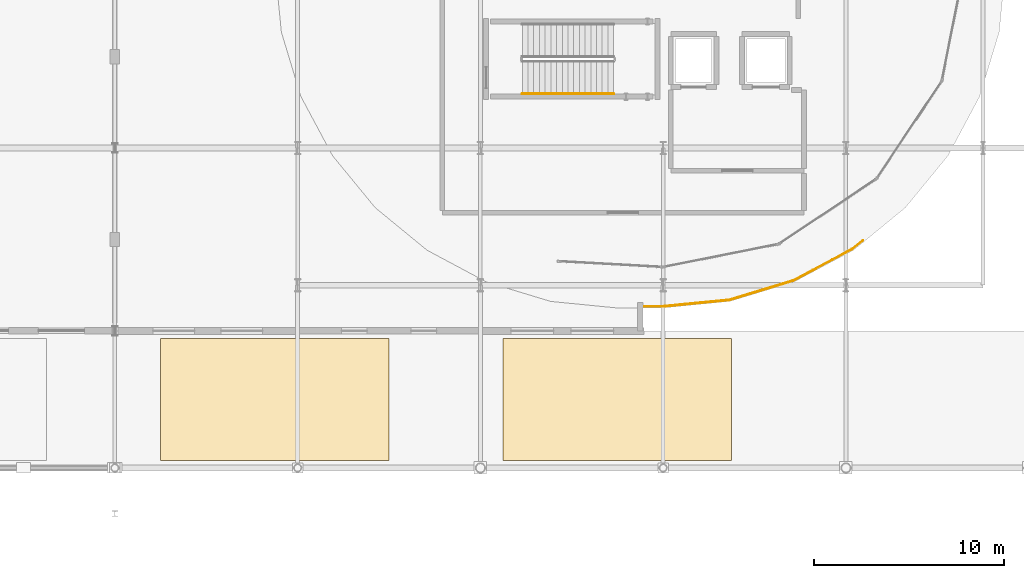
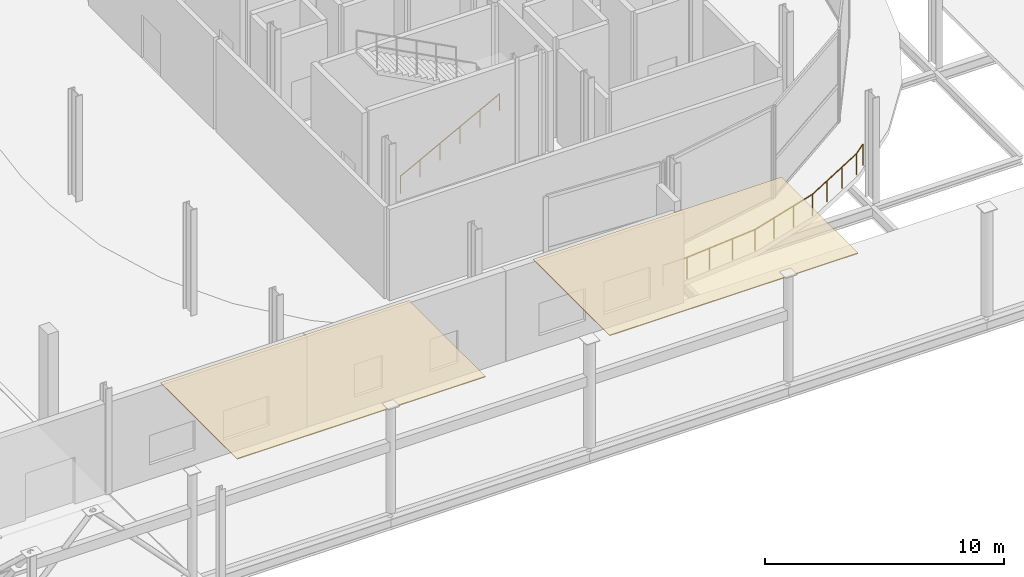
# One storey, part 79 of 84: 2 coverings, 2 railings.
"""IFC4 building model written with IfcOpenShell, lengths in metres."""

from ifc_helpers import new_model, si_unit, direction, frame, origin, origin_2d, place, context, subcontext, project, spatial, polyline, circle, outline, extrude, material, layer, layer_set, type_object, element, save


model = new_model("IFC4")

# Units and contexts
model_context = context("Model", 3, precision=1e-05, world=origin(), true_north=direction((0.0, 1.0)))
body_context = subcontext(model_context, "Body", "Model", "MODEL_VIEW")
ifc_project = project(units=[si_unit("LENGTHUNIT", "METRE"), si_unit("AREAUNIT", "SQUARE_METRE"), si_unit("VOLUMEUNIT", "CUBIC_METRE"), si_unit("PLANEANGLEUNIT", "RADIAN"), si_unit("MASSUNIT", "GRAM", prefix="KILO")], contexts=[model_context])

# Site, building, storey
site_placement = place(None, origin())
site = spatial("IfcSite", under=ifc_project, at=site_placement, CompositionType="ELEMENT")
building_placement = place(site_placement, origin())
building = spatial("IfcBuilding", under=site, at=building_placement, Name="Zevrakil Square Congress Hotel", CompositionType="ELEMENT")
storey_placement = place(building_placement, origin())
storey = spatial("IfcBuildingStorey", under=building, at=storey_placement, Name="L01", CompositionType="ELEMENT", Elevation=0.0)

# Coverings
ifc_material_1 = material(Name="White Ribbed Highland GRC Cladding")
ifc_layer = layer(ifc_material_1, 0.044921875)
ifc_layer_set = layer_set([ifc_layer], Name="White Ribbed Highland GRC Cladding")
covering_type = type_object("IfcCoveringType", Name="COV-CLAD-GRC-045", PredefinedType="CLADDING", material=ifc_layer_set)
covering_1_placement = place(storey_placement, frame((0.0, 0.0, 4.89990234375)))
element("IfcCovering", 1, at=covering_1_placement, inside=storey, type_object=covering_type, Name="L01 civic colonnade ribbed GRC soffit cladding 7", PredefinedType="CLADDING", context=body_context, shape_type="SweptSolid", body=[
    extrude(outline(polyline([(120.0, 0.39990234375), (132.0, 0.39990234375), (132.0, 6.800048828125), (120.0, 6.800048828125), (120.0, 0.39990234375)])), origin(), (0.0, 0.0, 1.0), 0.045166015625),
])
covering_2_placement = place(storey_placement, frame((0.0, 0.0, 4.89990234375)))
element("IfcCovering", 2, at=covering_2_placement, inside=storey, type_object=covering_type, Name="L01 civic colonnade ribbed GRC soffit cladding 8", PredefinedType="CLADDING", context=body_context, shape_type="SweptSolid", body=[
    extrude(outline(polyline([(138.0, 0.39990234375), (150.0, 0.39990234375), (150.0, 6.800048828125), (138.0, 6.800048828125), (138.0, 0.39990234375)])), origin(), (0.0, 0.0, 1.0), 0.045166015625),
])

# Railings
ifc_material_2 = material(Name="Steel S355", Category="steel")
railing_type_1 = type_object("IfcRailingType", Name="RLG-STAIR-HAND-900", PredefinedType="HANDRAIL", material=ifc_material_2)
railing_1_placement = place(storey_placement, frame((139.0, 19.64990234375, 0.158935546875)))
element("IfcRailing", 3, at=railing_1_placement, inside=storey, type_object=railing_type_1, Name="L01 ST01 stair handrail 1", PredefinedType="HANDRAIL", context=body_context, shape_type="SweptSolid", body=[
    extrude(circle(Radius=0.02392578125, at=origin_2d()), frame((0.0, 0.0, 0.8759765625), z_axis=(0.883802130504, 0.0, 0.467860870469), x_axis=(0.0, 1.0, 0.0)), (0.0, 0.0, 1.0), 5.43115234375),
    extrude(circle(Radius=0.02099609375, at=origin_2d()), origin(), (0.0, 0.0, 1.0), 0.851806640625),
    extrude(circle(Radius=0.02099609375, at=origin_2d()), frame((0.9599609375, 0.0, 0.50830078125)), (0.0, 0.0, 1.0), 0.851806640625),
    extrude(circle(Radius=0.02099609375, at=origin_2d()), frame((1.919921875, 0.0, 1.016357421875)), (0.0, 0.0, 1.0), 0.851806640625),
    extrude(circle(Radius=0.02099609375, at=origin_2d()), frame((2.880126953125, 0.0, 1.524658203125)), (0.0, 0.0, 1.0), 0.851806640625),
    extrude(circle(Radius=0.02099609375, at=origin_2d()), frame((3.840087890625, 0.0, 2.03271484375)), (0.0, 0.0, 1.0), 0.851806640625),
    extrude(circle(Radius=0.02099609375, at=origin_2d()), frame((4.800048828125, 0.0, 2.541015625)), (0.0, 0.0, 1.0), 0.851806640625),
])
ifc_material_3 = material(Name="Steel S355", Category="steel")
railing_type_2 = type_object("IfcRailingType", Name="RLG-TERR-1100", PredefinedType="BALUSTRADE", material=ifc_material_3)
railing_2_placement = place(storey_placement, frame((145.25, 8.47998046875, 0.0)))
element("IfcRailing", 4, at=railing_2_placement, inside=storey, type_object=railing_type_2, Name="L01 terrace and void safety balustrade guard 15", PredefinedType="BALUSTRADE", context=body_context, shape_type="SweptSolid", body=[
    extrude(circle(Radius=0.02392578125, at=origin_2d()), frame((0.0, 0.0, 1.076171875), z_axis=(1.0, 0.0, 0.0), x_axis=(0.0, 1.0, 0.0)), (0.0, 0.0, 1.0), 1.14990234375),
    extrude(circle(Radius=0.02392578125, at=origin_2d()), frame((1.14990234375, 0.0, 1.076171875), z_axis=(0.995285623083, 0.096987259388, 0.0), x_axis=(-0.096987259388, 0.995285623083, 0.0)), (0.0, 0.0, 1.0), 3.506591796875),
    extrude(circle(Radius=0.02392578125, at=origin_2d()), frame((4.639892578125, 0.340087890625, 1.076171875), z_axis=(0.956640101637, 0.291272580137, 0.0), x_axis=(-0.291272580137, 0.956640101637, 0.0)), (0.0, 0.0, 1.0), 3.501953125),
    extrude(circle(Radius=0.02392578125, at=origin_2d()), frame((7.989990234375, 1.360107421875, 1.076171875), z_axis=(0.882132906826, 0.471000567617, 0.0), x_axis=(-0.471000567617, 0.882132906826, 0.0)), (0.0, 0.0, 1.0), 3.5029296875),
    extrude(circle(Radius=0.02392578125, at=origin_2d()), frame((11.080078125, 3.010009765625, 1.076171875), z_axis=(0.778129180167, 0.628104273965, 0.0), x_axis=(-0.628104273965, 0.778129180167, 0.0)), (0.0, 0.0, 1.0), 0.732421875),
    extrude(circle(Radius=0.02099609375, at=origin_2d()), origin(), (0.0, 0.0, 1.0), 1.052001953125),
    extrude(circle(Radius=0.02099609375, at=origin_2d()), frame((1.14990234375, 0.0, 0.0)), (0.0, 0.0, 1.0), 1.052001953125),
    extrude(circle(Radius=0.02099609375, at=origin_2d()), frame((2.313232421875, 0.11328125, 0.0)), (0.0, 0.0, 1.0), 1.052001953125),
    extrude(circle(Radius=0.02099609375, at=origin_2d()), frame((3.4765625, 0.226806640625, 0.0)), (0.0, 0.0, 1.0), 1.052001953125),
    extrude(circle(Radius=0.02099609375, at=origin_2d()), frame((4.639892578125, 0.340087890625, 0.0)), (0.0, 0.0, 1.0), 1.052001953125),
    extrude(circle(Radius=0.02099609375, at=origin_2d()), frame((5.756591796875, 0.68017578125, 0.0)), (0.0, 0.0, 1.0), 1.052001953125),
    extrude(circle(Radius=0.02099609375, at=origin_2d()), frame((6.873291015625, 1.02001953125, 0.0)), (0.0, 0.0, 1.0), 1.052001953125),
    extrude(circle(Radius=0.02099609375, at=origin_2d()), frame((7.989990234375, 1.360107421875, 0.0)), (0.0, 0.0, 1.0), 1.052001953125),
    extrude(circle(Radius=0.02099609375, at=origin_2d()), frame((9.02001953125, 1.91015625, 0.0)), (0.0, 0.0, 1.0), 1.052001953125),
    extrude(circle(Radius=0.02099609375, at=origin_2d()), frame((10.050048828125, 2.4599609375, 0.0)), (0.0, 0.0, 1.0), 1.052001953125),
    extrude(circle(Radius=0.02099609375, at=origin_2d()), frame((11.080078125, 3.010009765625, 0.0)), (0.0, 0.0, 1.0), 1.052001953125),
    extrude(circle(Radius=0.02099609375, at=origin_2d()), frame((11.64990234375, 3.469970703125, 0.0)), (0.0, 0.0, 1.0), 1.052001953125),
])

save(model, "model.ifc")
